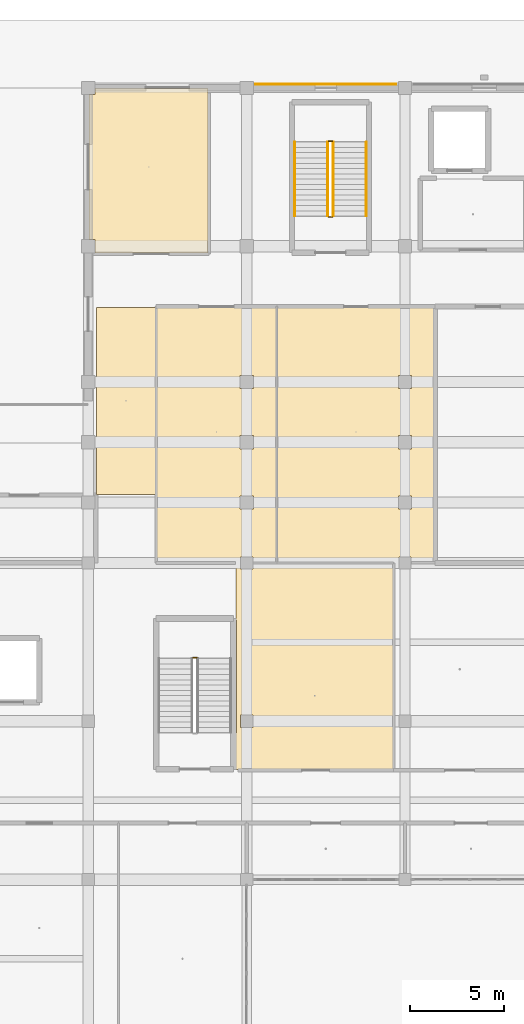
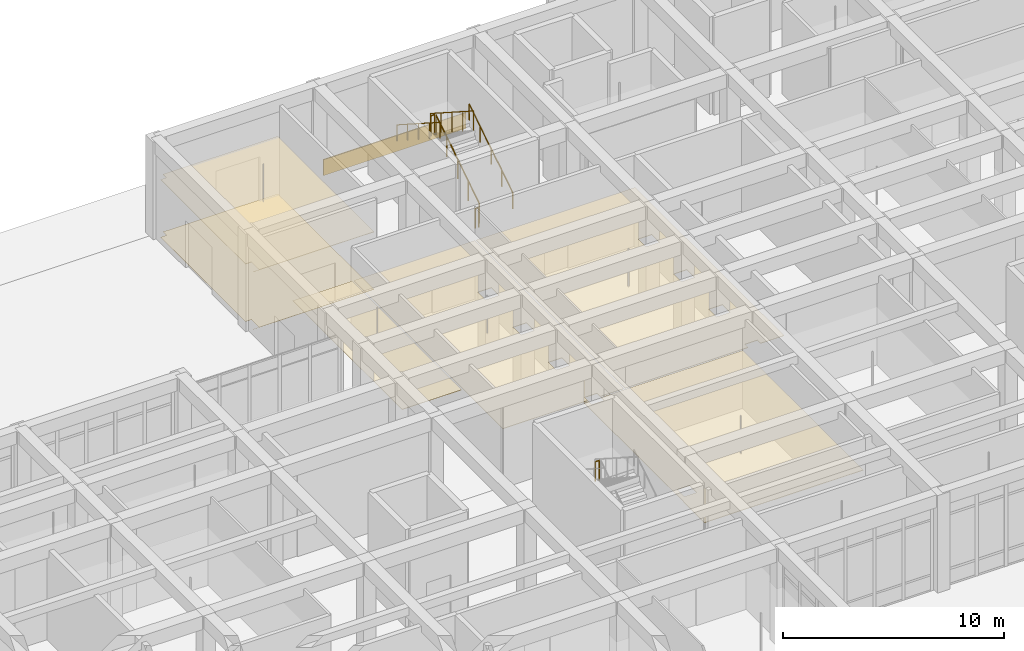
# One storey, part 158 of 167: 7 coverings, 7 railings.
"""IFC4 building model written with IfcOpenShell, lengths in metres."""

from ifc_helpers import new_model, si_unit, direction, frame, origin, origin_2d, place, context, subcontext, project, spatial, polyline, rectangle, circle, outline, extrude, material, layer, layer_set, type_object, element, save


model = new_model("IFC4")

# Units and contexts
model_context = context("Model", 3, precision=1e-05, world=origin(), true_north=direction((0.0, 1.0)))
body_context = subcontext(model_context, "Body", "Model", "MODEL_VIEW")
ifc_project = project(units=[si_unit("LENGTHUNIT", "METRE"), si_unit("AREAUNIT", "SQUARE_METRE"), si_unit("VOLUMEUNIT", "CUBIC_METRE"), si_unit("PLANEANGLEUNIT", "RADIAN"), si_unit("MASSUNIT", "GRAM", prefix="KILO")], contexts=[model_context])

# Site, building, storey
site_placement = place(None, origin())
site = spatial("IfcSite", under=ifc_project, at=site_placement, CompositionType="ELEMENT")
building_placement = place(site_placement, origin())
building = spatial("IfcBuilding", under=site, at=building_placement, Name="Varncliffe General Hospital", CompositionType="ELEMENT")
storey_placement = place(building_placement, origin())
storey = spatial("IfcBuildingStorey", under=building, at=storey_placement, Name="L00", CompositionType="ELEMENT", Elevation=0.0)

# Coverings
ifc_material_1 = material(Name="Hygienic antimicrobial acoustic suspended ceiling tile", Category="gypsum")
ifc_layer_1 = layer(ifc_material_1, 0.02490234375)
ifc_layer_set_1 = layer_set([ifc_layer_1], Name="Hygienic antimicrobial acoustic suspended ceiling tile")
covering_type_1 = type_object("IfcCoveringType", Name="Antimicrobial Acoustic Suspended Ceiling CLG44", PredefinedType="CEILING", material=ifc_layer_set_1)
covering_1_placement = place(storey_placement, frame((0.0, 0.0, 3.175048828125)))
element("IfcCovering", 1, at=covering_1_placement, inside=storey, type_object=covering_type_1, Name="L00 North Link East Connector L00 Suspended Ceiling", PredefinedType="CEILING", context=body_context, shape_type="SweptSolid", body=[
    extrude(outline(polyline([(112.760009765625, 103.239990234375), (112.760009765625, 113.159912109375), (109.639892578125, 113.159912109375), (109.639892578125, 103.239990234375), (112.760009765625, 103.239990234375)])), origin(), (0.0, 0.0, 1.0), 0.02490234375),
])
covering_2_placement = place(storey_placement, frame((0.0, 0.0, 3.175048828125)))
element("IfcCovering", 2, at=covering_2_placement, inside=storey, type_object=covering_type_1, Name="L00 Diagnostic Fluoroscopy and X-Ray Suite 85 Suspended Ceiling", PredefinedType="CEILING", context=body_context, shape_type="SweptSolid", body=[
    extrude(outline(polyline([(117.27490234375, 99.56005859375), (117.27490234375, 99.27490234375), (117.925048828125, 99.27490234375), (117.925048828125, 99.56005859375), (125.360107421875, 99.56005859375), (125.360107421875, 88.639892578125), (117.0400390625, 88.639892578125), (117.0400390625, 90.530517578125), (117.045166015625, 90.55126953125), (117.048828125, 90.575439453125), (117.050048828125, 90.60009765625), (117.050048828125, 94.52001953125), (117.050048828125, 96.550048828125), (117.048828125, 96.574462890625), (117.045166015625, 96.598876953125), (117.0400390625, 96.619384765625), (117.0400390625, 99.56005859375), (117.27490234375, 99.56005859375)]), holes=[polyline([(117.925048828125, 90.875), (117.925048828125, 91.52490234375), (117.27490234375, 91.52490234375), (117.27490234375, 90.875), (117.925048828125, 90.875)])]), origin(), (0.0, 0.0, 1.0), 0.02490234375),
])
covering_3_placement = place(storey_placement, frame((0.0, 0.0, 3.175048828125)))
element("IfcCovering", 3, at=covering_3_placement, inside=storey, type_object=covering_type_1, Name="L00 Outpatient Phlebotomy and Pre-Admission Clinic 122 Suspended Ceiling", PredefinedType="CEILING", context=body_context, shape_type="SweptSolid", body=[
    extrude(outline(polyline([(112.840087890625, 99.639892578125), (112.840087890625, 113.159912109375), (119.159912109375, 113.159912109375), (119.159912109375, 99.639892578125), (117.925048828125, 99.639892578125), (117.925048828125, 99.925048828125), (117.27490234375, 99.925048828125), (117.27490234375, 99.639892578125), (112.840087890625, 99.639892578125)]), holes=[polyline([(117.949951171875, 102.449951171875), (117.949951171875, 103.14990234375), (117.25, 103.14990234375), (117.25, 102.449951171875), (117.949951171875, 102.449951171875)]), polyline([(117.949951171875, 105.64990234375), (117.949951171875, 106.35009765625), (117.25, 106.35009765625), (117.25, 105.64990234375), (117.949951171875, 105.64990234375)]), polyline([(117.949951171875, 108.85009765625), (117.949951171875, 109.550048828125), (117.25, 109.550048828125), (117.25, 108.85009765625), (117.949951171875, 108.85009765625)])]), origin(), (0.0, 0.0, 1.0), 0.02490234375),
])
covering_4_placement = place(storey_placement, frame((0.0, 0.0, 3.175048828125)))
element("IfcCovering", 4, at=covering_4_placement, inside=storey, type_object=covering_type_1, Name="L00 Rehabilitation Ambulation Training Room 123 Suspended Ceiling", PredefinedType="CEILING", context=body_context, shape_type="SweptSolid", body=[
    extrude(outline(polyline([(119.239990234375, 99.639892578125), (119.239990234375, 113.159912109375), (127.56005859375, 113.159912109375), (127.56005859375, 99.639892578125), (126.324951171875, 99.639892578125), (126.324951171875, 99.925048828125), (125.675048828125, 99.925048828125), (125.675048828125, 99.639892578125), (119.239990234375, 99.639892578125)]), holes=[polyline([(126.35009765625, 102.449951171875), (126.35009765625, 103.14990234375), (125.64990234375, 103.14990234375), (125.64990234375, 102.449951171875), (126.35009765625, 102.449951171875)]), polyline([(126.35009765625, 105.64990234375), (126.35009765625, 106.35009765625), (125.64990234375, 106.35009765625), (125.64990234375, 105.64990234375), (126.35009765625, 105.64990234375)]), polyline([(126.35009765625, 108.85009765625), (126.35009765625, 109.550048828125), (125.64990234375, 109.550048828125), (125.64990234375, 108.85009765625), (126.35009765625, 108.85009765625)])]), origin(), (0.0, 0.0, 1.0), 0.02490234375),
])
covering_5_placement = place(storey_placement, frame((0.0, 0.0, 3.175048828125)))
element("IfcCovering", 5, at=covering_5_placement, inside=storey, type_object=covering_type_1, Name="L00 Outpatient Phlebotomy and Pre-Admission Clinic 134 Suspended Ceiling", PredefinedType="CEILING", context=body_context, shape_type="SweptSolid", body=[
    extrude(outline(polyline([(115.56005859375, 124.760009765625), (115.56005859375, 116.0400390625), (109.239990234375, 116.0400390625), (109.239990234375, 116.050048828125), (109.550048828125, 116.050048828125), (109.550048828125, 116.75), (109.239990234375, 116.75), (109.239990234375, 124.449951171875), (109.550048828125, 124.449951171875), (109.550048828125, 124.760009765625), (115.56005859375, 124.760009765625)])), origin(), (0.0, 0.0, 1.0), 0.02490234375),
])
ifc_material_2 = material(Name="Credit Valley buff limestone ashlar cladding", Category="masonry")
ifc_layer_2 = layer(ifc_material_2, 0.050048828125)
ifc_layer_set_2 = layer_set([ifc_layer_2], Name="Credit Valley buff limestone ashlar cladding")
covering_type_2 = type_object("IfcCoveringType", Name="Credit Valley Limestone Ashlar Plinth Cladding CLD17", PredefinedType="CLADDING", material=ifc_layer_set_2)
covering_6_placement = place(storey_placement, frame((121.800048828125, 124.989990234375, 0.010009765625), z_axis=(0.0, 0.0, 1.0), x_axis=(1.0, 0.0, 0.0)))
element("IfcCovering", 6, at=covering_6_placement, inside=storey, type_object=covering_type_2, Name="L00 Limestone Base Cladding 15", PredefinedType="CLADDING", context=body_context, shape_type="SweptSolid", body=[
    extrude(rectangle(XDim=7.464111328125, YDim=0.050048828125, at=origin_2d()), origin(), (0.0, 0.0, 1.0), 0.8798828125),
])
ifc_material_3 = material(Name="Seamless welded hospital sheet linoleum and terrazzo flooring", Category="linoleum")
ifc_layer_3 = layer(ifc_material_3, 0.011962890625)
ifc_layer_set_3 = layer_set([ifc_layer_3], Name="Seamless welded hospital sheet linoleum and terrazzo flooring")
covering_type_3 = type_object("IfcCoveringType", Name="Seamless Hospital Linoleum Flooring FLR19", PredefinedType="FLOORING", material=ifc_layer_set_3)
covering_7_placement = place(storey_placement, origin())
element("IfcCovering", 7, at=covering_7_placement, inside=storey, type_object=covering_type_3, Name="L00 Outpatient Phlebotomy and Pre-Admission Clinic 134 Seamless Flooring", PredefinedType="FLOORING", context=body_context, shape_type="SweptSolid", body=[
    extrude(outline(polyline([(115.56005859375, 124.760009765625), (115.56005859375, 116.0400390625), (109.239990234375, 116.0400390625), (109.239990234375, 116.050048828125), (109.550048828125, 116.050048828125), (109.550048828125, 116.75), (109.239990234375, 116.75), (109.239990234375, 124.449951171875), (109.550048828125, 124.449951171875), (109.550048828125, 124.760009765625), (115.56005859375, 124.760009765625)])), origin(), (0.0, 0.0, 1.0), 0.011962890625),
])

# Railings
ifc_material_4 = material(Name="Powder-coated hospital steel guardrail and handrail", Category="steel")
railing_type_1 = type_object("IfcRailingType", Name="Stair and Ramp Handrail HR46", PredefinedType="HANDRAIL", material=ifc_material_4)
railing_1_placement = place(storey_placement, frame((123.949951171875, 118.0, 0.364013671875)))
element("IfcRailing", 8, at=railing_1_placement, inside=storey, type_object=railing_type_1, Name="L00 ST03 stair handrail 1", PredefinedType="HANDRAIL", context=body_context, shape_type="SweptSolid", body=[
    extrude(circle(Radius=0.02392578125, at=origin_2d()), frame((0.0, 0.0, 0.8759765625), z_axis=(0.0, 0.841171666519, 0.540768182723), x_axis=(-1.0, 0.0, 0.0)), (0.0, 0.0, 1.0), 4.66015625),
    extrude(circle(Radius=0.02099609375, at=origin_2d()), origin(), (0.0, 0.0, 1.0), 0.851806640625),
    extrude(circle(Radius=0.02099609375, at=origin_2d()), frame((0.0, 0.97998046875, 0.6298828125)), (0.0, 0.0, 1.0), 0.851806640625),
    extrude(circle(Radius=0.02099609375, at=origin_2d()), frame((0.0, 1.9599609375, 1.260009765625)), (0.0, 0.0, 1.0), 0.851806640625),
    extrude(circle(Radius=0.02099609375, at=origin_2d()), frame((0.0, 2.93994140625, 1.89013671875)), (0.0, 0.0, 1.0), 0.851806640625),
    extrude(circle(Radius=0.02099609375, at=origin_2d()), frame((0.0, 3.919921875, 2.52001953125)), (0.0, 0.0, 1.0), 0.851806640625),
])
railing_2_placement = place(storey_placement, frame((120.14990234375, 121.919921875, 3.06396484375)))
element("IfcRailing", 9, at=railing_2_placement, inside=storey, type_object=railing_type_1, Name="L00 ST03 stair handrail 2", PredefinedType="HANDRAIL", context=body_context, shape_type="SweptSolid", body=[
    extrude(circle(Radius=0.02392578125, at=origin_2d()), frame((0.0, 0.0, 0.8759765625), z_axis=(0.0, -0.841171666519, 0.540768182723), x_axis=(1.0, 0.0, 0.0)), (0.0, 0.0, 1.0), 4.66015625),
    extrude(circle(Radius=0.02099609375, at=origin_2d()), origin(), (0.0, 0.0, 1.0), 0.851806640625),
    extrude(circle(Radius=0.02099609375, at=origin_2d()), frame((0.0, -0.97998046875, 0.6298828125)), (0.0, 0.0, 1.0), 0.851806640625),
    extrude(circle(Radius=0.02099609375, at=origin_2d()), frame((0.0, -1.9599609375, 1.260009765625)), (0.0, 0.0, 1.0), 0.851806640625),
    extrude(circle(Radius=0.02099609375, at=origin_2d()), frame((0.0, -2.93994140625, 1.89013671875)), (0.0, 0.0, 1.0), 0.851806640625),
    extrude(circle(Radius=0.02099609375, at=origin_2d()), frame((0.0, -3.919921875, 2.52001953125)), (0.0, 0.0, 1.0), 0.851806640625),
])
railing_type_2 = type_object("IfcRailingType", Name="Stairwell Guardrail SG49", PredefinedType="GUARDRAIL", material=ifc_material_4)
railing_3_placement = place(storey_placement, frame((122.199951171875, 118.0, 0.179931640625)))
element("IfcRailing", 10, at=railing_3_placement, inside=storey, type_object=railing_type_2, Name="L00 ST03 stair guard 1", PredefinedType="GUARDRAIL", context=body_context, shape_type="SweptSolid", body=[
    extrude(circle(Radius=0.02392578125, at=origin_2d()), frame((0.0, 0.0, 1.076171875), z_axis=(0.0, 0.841171666519, 0.540768182723), x_axis=(-1.0, 0.0, 0.0)), (0.0, 0.0, 1.0), 4.66015625),
    extrude(circle(Radius=0.02099609375, at=origin_2d()), origin(), (0.0, 0.0, 1.0), 1.052001953125),
    extrude(circle(Radius=0.02099609375, at=origin_2d()), frame((0.0, 0.97998046875, 0.6298828125)), (0.0, 0.0, 1.0), 1.052001953125),
    extrude(circle(Radius=0.02099609375, at=origin_2d()), frame((0.0, 1.9599609375, 1.260009765625)), (0.0, 0.0, 1.0), 1.052001953125),
    extrude(circle(Radius=0.02099609375, at=origin_2d()), frame((0.0, 2.93994140625, 1.89013671875)), (0.0, 0.0, 1.0), 1.052001953125),
    extrude(circle(Radius=0.02099609375, at=origin_2d()), frame((0.0, 3.919921875, 2.52001953125)), (0.0, 0.0, 1.0), 1.052001953125),
])
railing_4_placement = place(storey_placement, frame((122.14990234375, 121.969970703125, 2.699951171875)))
element("IfcRailing", 11, at=railing_4_placement, inside=storey, type_object=railing_type_2, Name="L00 ST03 stair guard 2", PredefinedType="GUARDRAIL", context=body_context, shape_type="SweptSolid", body=[
    extrude(circle(Radius=0.02392578125, at=origin_2d()), frame((0.0, 0.0, 1.076171875), z_axis=(-1.0, 0.0, 0.0), x_axis=(0.0, -1.0, 0.0)), (0.0, 0.0, 1.0), 0.199951171875),
    extrude(circle(Radius=0.02099609375, at=origin_2d()), origin(), (0.0, 0.0, 1.0), 1.052001953125),
    extrude(circle(Radius=0.02099609375, at=origin_2d()), frame((-0.199951171875, 0.0, 0.0)), (0.0, 0.0, 1.0), 1.052001953125),
])
railing_5_placement = place(storey_placement, frame((121.89990234375, 121.919921875, 2.8798828125)))
element("IfcRailing", 12, at=railing_5_placement, inside=storey, type_object=railing_type_2, Name="L00 ST03 stair guard 3", PredefinedType="GUARDRAIL", context=body_context, shape_type="SweptSolid", body=[
    extrude(circle(Radius=0.02392578125, at=origin_2d()), frame((0.0, 0.0, 1.076171875), z_axis=(0.0, -0.841171666519, 0.540768182723), x_axis=(1.0, 0.0, 0.0)), (0.0, 0.0, 1.0), 4.66015625),
    extrude(circle(Radius=0.02099609375, at=origin_2d()), origin(), (0.0, 0.0, 1.0), 1.052001953125),
    extrude(circle(Radius=0.02099609375, at=origin_2d()), frame((0.0, -0.97998046875, 0.6298828125)), (0.0, 0.0, 1.0), 1.052001953125),
    extrude(circle(Radius=0.02099609375, at=origin_2d()), frame((0.0, -1.9599609375, 1.260009765625)), (0.0, 0.0, 1.0), 1.052001953125),
    extrude(circle(Radius=0.02099609375, at=origin_2d()), frame((0.0, -2.93994140625, 1.89013671875)), (0.0, 0.0, 1.0), 1.052001953125),
    extrude(circle(Radius=0.02099609375, at=origin_2d()), frame((0.0, -3.919921875, 2.52001953125)), (0.0, 0.0, 1.0), 1.052001953125),
])
for number, where, name in (
    (13, (122.14990234375, 117.949951171875, 0.0), "L00 ST03 stair guard 4"),
    (14, (114.949951171875, 94.570068359375, 2.699951171875), "L00 ST06 stair guard 2"),
):
    element("IfcRailing", number, at=place(storey_placement, frame(where)), inside=storey, type_object=railing_type_2, Name=name, PredefinedType="GUARDRAIL", context=body_context, shape_type="SweptSolid", body=[
        extrude(circle(Radius=0.02392578125, at=origin_2d()), frame((0.0, 0.0, 1.076171875), z_axis=(-1.0, 0.0, 0.0), x_axis=(0.0, -1.0, 0.0)), (0.0, 0.0, 1.0), 0.199951171875),
        extrude(circle(Radius=0.02099609375, at=origin_2d()), origin(), (0.0, 0.0, 1.0), 1.052001953125),
        extrude(circle(Radius=0.02099609375, at=origin_2d()), frame((-0.199951171875, 0.0, 0.0)), (0.0, 0.0, 1.0), 1.052001953125),
    ])

save(model, "model.ifc")
